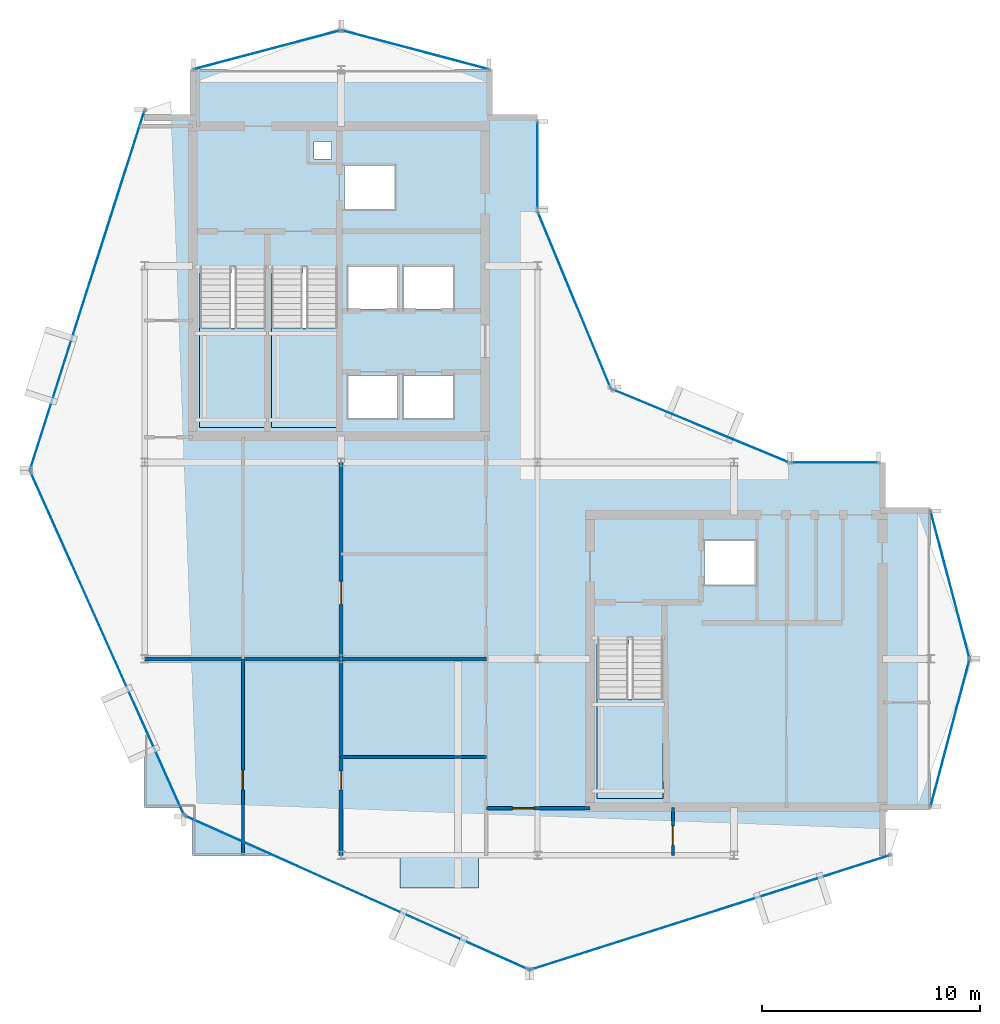
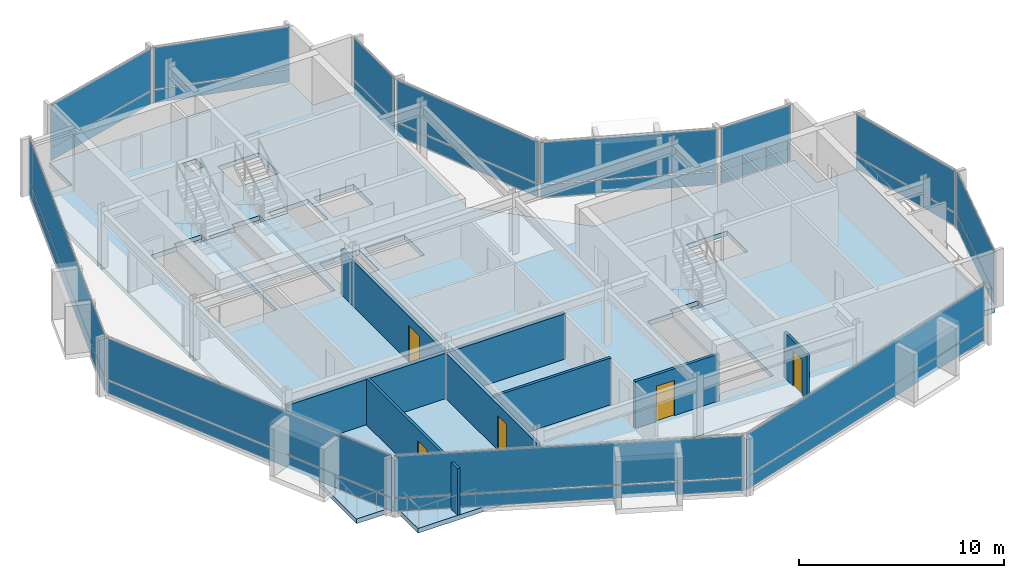
# One storey, part 13 of 19: 24 plates, 6 walls, 5 doors, 5 slabs, 5 openings, 15 elements without a shape of their own.
"""IFC4 building model written with IfcOpenShell, lengths in metres."""

from ifc_helpers import new_model, si_unit, direction, frame, frame_2d, origin, origin_2d, place, context, subcontext, project, spatial, polyline, rectangle, outline, extrude, material, layer, layer_set, type_object, element, fill, aggregate, save


model = new_model("IFC4")

# Units and contexts
model_context = context("Model", 3, precision=1e-05, world=origin(), true_north=direction((0.0, 1.0)))
body_context = subcontext(model_context, "Body", "Model", "MODEL_VIEW")
ifc_project = project(units=[si_unit("LENGTHUNIT", "METRE"), si_unit("AREAUNIT", "SQUARE_METRE"), si_unit("VOLUMEUNIT", "CUBIC_METRE"), si_unit("PLANEANGLEUNIT", "RADIAN"), si_unit("MASSUNIT", "GRAM", prefix="KILO")], contexts=[model_context])

# Site, building, storey
site_placement = place(None, origin())
site = spatial("IfcSite", under=ifc_project, at=site_placement, CompositionType="ELEMENT")
building_placement = place(site_placement, origin())
building = spatial("IfcBuilding", under=site, at=building_placement, Name="Solvaryn Broadcast Tower", CompositionType="ELEMENT")
storey_placement = place(building_placement, frame((0.0, 0.0, 290.0)))
storey = spatial("IfcBuildingStorey", under=building, at=storey_placement, Name="L73", CompositionType="ELEMENT", Elevation=290.0)

# Curtain wall, plates
ifc_material_1 = material(Name="Aluminium and Terracotta Unitised Curtain Wall", Category="masonry")
ifc_layer_1 = layer(ifc_material_1, 0.199951171875)
ifc_layer_set_1 = layer_set([ifc_layer_1], Name="CW-SYS2-LOWMID")
curtain_wall_type_1 = type_object("IfcCurtainWallType", Name="CW-SYS2-LOWMID", PredefinedType="NOTDEFINED", material=ifc_layer_set_1)
curtain_wall_1_placement = place(storey_placement, origin())
curtain_wall_1 = element("IfcCurtainWall", 1, at=curtain_wall_1_placement, inside=storey, type_object=curtain_wall_type_1, Name="L73 Curtain Wall DR1", PredefinedType="NOTDEFINED")
ifc_material_2 = material(Name="Low-Iron Insulated Vision Glass", Category="glass")
ifc_layer_2 = layer(ifc_material_2, 0.035888671875)
ifc_layer_set_2 = layer_set([ifc_layer_2], Name="CW-PNL-VISION")
plate_type = type_object("IfcPlateType", Name="CW-PNL-VISION", PredefinedType="CURTAIN_PANEL", material=ifc_layer_set_2)
plate_1_placement = place(storey_placement, frame((6.368896484375, 34.892578125, 0.06005859375), z_axis=(0.0, 0.0, 1.0), x_axis=(-0.30361564569, -0.952794594701, 0.0)))
plate_1 = element("IfcPlate", 2, at=plate_1_placement, type_object=plate_type, Name="CWS2 panel 1.1", PredefinedType="CURTAIN_PANEL", context=body_context, shape_type="SweptSolid", body=[
    extrude(rectangle(XDim=17.211181640625, YDim=0.028076171875, at=origin_2d()), origin(), (0.0, 0.0, 1.0), 0.760009765625),
])
plate_2_placement = place(storey_placement, frame((6.368896484375, 34.892578125, 0.880126953125), z_axis=(0.0, 0.0, 1.0), x_axis=(-0.30361564569, -0.952794594701, 0.0)))
plate_2 = element("IfcPlate", 3, at=plate_2_placement, type_object=plate_type, Name="CWS2 panel 1.2", PredefinedType="CURTAIN_PANEL", context=body_context, shape_type="SweptSolid", body=[
    extrude(rectangle(XDim=17.211181640625, YDim=0.028076171875, at=origin_2d()), origin(), (0.0, 0.0, 1.0), 2.47998046875),
])
aggregate(curtain_wall_1, [plate_1, plate_2])

ifc_material_3 = material(Name="Aluminium and Terracotta Unitised Curtain Wall", Category="masonry")
ifc_layer_3 = layer(ifc_material_3, 0.239990234375)
ifc_layer_set_3 = layer_set([ifc_layer_3], Name="CW-SYS3-BAYBOX")
curtain_wall_type_2 = type_object("IfcCurtainWallType", Name="CW-SYS3-BAYBOX", PredefinedType="NOTDEFINED", material=ifc_layer_set_3)
curtain_wall_2_placement = place(storey_placement, origin())
curtain_wall_2 = element("IfcCurtainWall", 4, at=curtain_wall_2_placement, inside=storey, type_object=curtain_wall_type_2, Name="L73 Curtain Wall DR2", PredefinedType="NOTDEFINED")
plate_3_placement = place(storey_placement, frame((7.277587890625, 18.7265625, 0.06005859375), z_axis=(0.0, 0.0, 1.0), x_axis=(0.408466010682, -0.912773530574, 0.0)))
plate_3 = element("IfcPlate", 5, at=plate_3_placement, type_object=plate_type, Name="CWS3 panel 1.1", PredefinedType="CURTAIN_PANEL", context=body_context, shape_type="SweptSolid", body=[
    extrude(rectangle(XDim=17.210693359375, YDim=0.028076171875, at=origin_2d()), origin(), (0.0, 0.0, 1.0), 0.760009765625),
])
plate_4_placement = place(storey_placement, frame((7.277587890625, 18.7265625, 0.880126953125), z_axis=(0.0, 0.0, 1.0), x_axis=(0.408466010682, -0.912773530574, 0.0)))
plate_4 = element("IfcPlate", 6, at=plate_4_placement, type_object=plate_type, Name="CWS3 panel 1.2", PredefinedType="CURTAIN_PANEL", context=body_context, shape_type="SweptSolid", body=[
    extrude(rectangle(XDim=17.210693359375, YDim=0.028076171875, at=origin_2d()), origin(), (0.0, 0.0, 1.0), 2.47998046875),
])
aggregate(curtain_wall_2, [plate_3, plate_4])

curtain_wall_3_placement = place(storey_placement, origin())
curtain_wall_3 = element("IfcCurtainWall", 7, at=curtain_wall_3_placement, inside=storey, type_object=curtain_wall_type_1, Name="L73 Curtain Wall DR3", PredefinedType="NOTDEFINED")
plate_5_placement = place(storey_placement, frame((18.7265625, 7.277587890625, 0.06005859375), z_axis=(0.0, 0.0, 1.0), x_axis=(0.912773530574, -0.408466010682, 0.0)))
plate_5 = element("IfcPlate", 8, at=plate_5_placement, type_object=plate_type, Name="CWS2 panel 1.1", PredefinedType="CURTAIN_PANEL", context=body_context, shape_type="SweptSolid", body=[
    extrude(rectangle(XDim=17.210693359375, YDim=0.028076171875, at=origin_2d()), origin(), (0.0, 0.0, 1.0), 0.760009765625),
])
plate_6_placement = place(storey_placement, frame((18.7265625, 7.277587890625, 0.880126953125), z_axis=(0.0, 0.0, 1.0), x_axis=(0.912773530574, -0.408466010682, 0.0)))
plate_6 = element("IfcPlate", 9, at=plate_6_placement, type_object=plate_type, Name="CWS2 panel 1.2", PredefinedType="CURTAIN_PANEL", context=body_context, shape_type="SweptSolid", body=[
    extrude(rectangle(XDim=17.210693359375, YDim=0.028076171875, at=origin_2d()), origin(), (0.0, 0.0, 1.0), 2.47998046875),
])
aggregate(curtain_wall_3, [plate_5, plate_6])

curtain_wall_4_placement = place(storey_placement, origin())
curtain_wall_4 = element("IfcCurtainWall", 10, at=curtain_wall_4_placement, inside=storey, type_object=curtain_wall_type_1, Name="L73 Curtain Wall DR4", PredefinedType="NOTDEFINED")
plate_7_placement = place(storey_placement, frame((34.892578125, 6.368896484375, 0.06005859375), z_axis=(0.0, 0.0, 1.0), x_axis=(0.952794594701, 0.30361564569, 0.0)))
plate_7 = element("IfcPlate", 11, at=plate_7_placement, type_object=plate_type, Name="CWS2 panel 1.1", PredefinedType="CURTAIN_PANEL", context=body_context, shape_type="SweptSolid", body=[
    extrude(rectangle(XDim=17.211181640625, YDim=0.028076171875, at=origin_2d()), origin(), (0.0, 0.0, 1.0), 0.760009765625),
])
plate_8_placement = place(storey_placement, frame((34.892578125, 6.368896484375, 0.880126953125), z_axis=(0.0, 0.0, 1.0), x_axis=(0.952794594701, 0.30361564569, 0.0)))
plate_8 = element("IfcPlate", 12, at=plate_8_placement, type_object=plate_type, Name="CWS2 panel 1.2", PredefinedType="CURTAIN_PANEL", context=body_context, shape_type="SweptSolid", body=[
    extrude(rectangle(XDim=17.211181640625, YDim=0.028076171875, at=origin_2d()), origin(), (0.0, 0.0, 1.0), 2.47998046875),
])
aggregate(curtain_wall_4, [plate_7, plate_8])

curtain_wall_5_placement = place(storey_placement, origin())
curtain_wall_5 = element("IfcCurtainWall", 13, at=curtain_wall_5_placement, inside=storey, type_object=curtain_wall_type_1, Name="L73 Curtain Wall IV", PredefinedType="NOTDEFINED")
plate_9_placement = place(storey_placement, frame((27.0, 40.625, 0.06005859375), z_axis=(0.0, 0.0, 1.0), x_axis=(0.0, -1.0, 0.0)))
plate_9 = element("IfcPlate", 14, at=plate_9_placement, type_object=plate_type, Name="CWS2 panel 1.1", PredefinedType="CURTAIN_PANEL", context=body_context, shape_type="SweptSolid", body=[
    extrude(rectangle(XDim=3.929931640625, YDim=0.028076171875, at=origin_2d()), origin(), (0.0, 0.0, 1.0), 0.760009765625),
])
plate_10_placement = place(storey_placement, frame((27.0, 40.625, 0.880126953125), z_axis=(0.0, 0.0, 1.0), x_axis=(0.0, -1.0, 0.0)))
plate_10 = element("IfcPlate", 15, at=plate_10_placement, type_object=plate_type, Name="CWS2 panel 1.2", PredefinedType="CURTAIN_PANEL", context=body_context, shape_type="SweptSolid", body=[
    extrude(rectangle(XDim=3.929931640625, YDim=0.028076171875, at=origin_2d()), origin(), (0.0, 0.0, 1.0), 2.47998046875),
])
aggregate(curtain_wall_5, [plate_9, plate_10])

curtain_wall_6_placement = place(storey_placement, origin())
curtain_wall_6 = element("IfcCurtainWall", 16, at=curtain_wall_6_placement, inside=storey, type_object=curtain_wall_type_1, Name="L73 Curtain Wall CN1", PredefinedType="NOTDEFINED")
plate_11_placement = place(storey_placement, frame((34.43408203125, 28.68408203125, 0.06005859375), z_axis=(0.0, 0.0, 1.0), x_axis=(-0.923894983957, 0.382646127145, 0.0)))
plate_11 = element("IfcPlate", 17, at=plate_11_placement, type_object=plate_type, Name="CWS2 panel 1.1", PredefinedType="CURTAIN_PANEL", context=body_context, shape_type="SweptSolid", body=[
    extrude(rectangle(XDim=8.681884765625, YDim=0.028076171875, at=origin_2d()), origin(), (0.0, 0.0, 1.0), 0.760009765625),
])
plate_12_placement = place(storey_placement, frame((34.43408203125, 28.68408203125, 0.880126953125), z_axis=(0.0, 0.0, 1.0), x_axis=(-0.923894983957, 0.382646127145, 0.0)))
plate_12 = element("IfcPlate", 18, at=plate_12_placement, type_object=plate_type, Name="CWS2 panel 1.2", PredefinedType="CURTAIN_PANEL", context=body_context, shape_type="SweptSolid", body=[
    extrude(rectangle(XDim=8.681884765625, YDim=0.028076171875, at=origin_2d()), origin(), (0.0, 0.0, 1.0), 2.47998046875),
])
aggregate(curtain_wall_6, [plate_11, plate_12])

curtain_wall_7_placement = place(storey_placement, origin())
curtain_wall_7 = element("IfcCurtainWall", 19, at=curtain_wall_7_placement, inside=storey, type_object=curtain_wall_type_1, Name="L73 Curtain Wall CN2", PredefinedType="NOTDEFINED")
plate_13_placement = place(storey_placement, frame((28.68408203125, 34.43408203125, 0.06005859375), z_axis=(0.0, 0.0, 1.0), x_axis=(-0.382646127145, 0.923894983957, 0.0)))
plate_13 = element("IfcPlate", 20, at=plate_13_placement, type_object=plate_type, Name="CWS2 panel 1.1", PredefinedType="CURTAIN_PANEL", context=body_context, shape_type="SweptSolid", body=[
    extrude(rectangle(XDim=8.681884765625, YDim=0.028076171875, at=origin_2d()), origin(), (0.0, 0.0, 1.0), 0.760009765625),
])
plate_14_placement = place(storey_placement, frame((28.68408203125, 34.43408203125, 0.880126953125), z_axis=(0.0, 0.0, 1.0), x_axis=(-0.382646127145, 0.923894983957, 0.0)))
plate_14 = element("IfcPlate", 21, at=plate_14_placement, type_object=plate_type, Name="CWS2 panel 1.2", PredefinedType="CURTAIN_PANEL", context=body_context, shape_type="SweptSolid", body=[
    extrude(rectangle(XDim=8.681884765625, YDim=0.028076171875, at=origin_2d()), origin(), (0.0, 0.0, 1.0), 2.47998046875),
])
aggregate(curtain_wall_7, [plate_13, plate_14])

curtain_wall_8_placement = place(storey_placement, origin())
curtain_wall_8 = element("IfcCurtainWall", 22, at=curtain_wall_8_placement, inside=storey, type_object=curtain_wall_type_1, Name="L73 Curtain Wall NT1", PredefinedType="NOTDEFINED")
plate_15_placement = place(storey_placement, frame((21.39990234375, 45.89990234375, 0.06005859375), z_axis=(0.0, 0.0, 1.0), x_axis=(-0.966705227863, 0.25589256031, 0.0)))
plate_15 = element("IfcPlate", 23, at=plate_15_placement, type_object=plate_type, Name="CWS2 panel 1.1", PredefinedType="CURTAIN_PANEL", context=body_context, shape_type="SweptSolid", body=[
    extrude(rectangle(XDim=6.914306640625, YDim=0.028076171875, at=origin_2d()), origin(), (0.0, 0.0, 1.0), 0.760009765625),
])
plate_16_placement = place(storey_placement, frame((21.39990234375, 45.89990234375, 0.880126953125), z_axis=(0.0, 0.0, 1.0), x_axis=(-0.966705227863, 0.25589256031, 0.0)))
plate_16 = element("IfcPlate", 24, at=plate_16_placement, type_object=plate_type, Name="CWS2 panel 1.2", PredefinedType="CURTAIN_PANEL", context=body_context, shape_type="SweptSolid", body=[
    extrude(rectangle(XDim=6.914306640625, YDim=0.028076171875, at=origin_2d()), origin(), (0.0, 0.0, 1.0), 2.47998046875),
])
aggregate(curtain_wall_8, [plate_15, plate_16])

curtain_wall_9_placement = place(storey_placement, origin())
curtain_wall_9 = element("IfcCurtainWall", 25, at=curtain_wall_9_placement, inside=storey, type_object=curtain_wall_type_1, Name="L73 Curtain Wall NT2", PredefinedType="NOTDEFINED")
plate_17_placement = place(storey_placement, frame((14.60009765625, 45.89990234375, 0.06005859375), z_axis=(0.0, 0.0, 1.0), x_axis=(-0.966705227863, -0.25589256031, 0.0)))
plate_17 = element("IfcPlate", 26, at=plate_17_placement, type_object=plate_type, Name="CWS2 panel 1.1", PredefinedType="CURTAIN_PANEL", context=body_context, shape_type="SweptSolid", body=[
    extrude(rectangle(XDim=6.914306640625, YDim=0.028076171875, at=origin_2d()), origin(), (0.0, 0.0, 1.0), 0.760009765625),
])
plate_18_placement = place(storey_placement, frame((14.60009765625, 45.89990234375, 0.880126953125), z_axis=(0.0, 0.0, 1.0), x_axis=(-0.966705227863, -0.25589256031, 0.0)))
plate_18 = element("IfcPlate", 27, at=plate_18_placement, type_object=plate_type, Name="CWS2 panel 1.2", PredefinedType="CURTAIN_PANEL", context=body_context, shape_type="SweptSolid", body=[
    extrude(rectangle(XDim=6.914306640625, YDim=0.028076171875, at=origin_2d()), origin(), (0.0, 0.0, 1.0), 2.47998046875),
])
aggregate(curtain_wall_9, [plate_17, plate_18])

curtain_wall_10_placement = place(storey_placement, origin())
curtain_wall_10 = element("IfcCurtainWall", 28, at=curtain_wall_10_placement, inside=storey, type_object=curtain_wall_type_1, Name="L73 Curtain Wall ET1", PredefinedType="NOTDEFINED")
plate_19_placement = place(storey_placement, frame((45.89990234375, 21.39990234375, 0.06005859375), z_axis=(0.0, 0.0, 1.0), x_axis=(0.25589256031, -0.966705227863, 0.0)))
plate_19 = element("IfcPlate", 29, at=plate_19_placement, type_object=plate_type, Name="CWS2 panel 1.1", PredefinedType="CURTAIN_PANEL", context=body_context, shape_type="SweptSolid", body=[
    extrude(rectangle(XDim=6.914306640625, YDim=0.028076171875, at=origin_2d()), origin(), (0.0, 0.0, 1.0), 0.760009765625),
])
plate_20_placement = place(storey_placement, frame((45.89990234375, 21.39990234375, 0.880126953125), z_axis=(0.0, 0.0, 1.0), x_axis=(0.25589256031, -0.966705227863, 0.0)))
plate_20 = element("IfcPlate", 30, at=plate_20_placement, type_object=plate_type, Name="CWS2 panel 1.2", PredefinedType="CURTAIN_PANEL", context=body_context, shape_type="SweptSolid", body=[
    extrude(rectangle(XDim=6.914306640625, YDim=0.028076171875, at=origin_2d()), origin(), (0.0, 0.0, 1.0), 2.47998046875),
])
aggregate(curtain_wall_10, [plate_19, plate_20])

curtain_wall_11_placement = place(storey_placement, origin())
curtain_wall_11 = element("IfcCurtainWall", 31, at=curtain_wall_11_placement, inside=storey, type_object=curtain_wall_type_1, Name="L73 Curtain Wall ET2", PredefinedType="NOTDEFINED")
plate_21_placement = place(storey_placement, frame((45.89990234375, 14.60009765625, 0.06005859375), z_axis=(0.0, 0.0, 1.0), x_axis=(-0.25589256031, -0.966705227863, 0.0)))
plate_21 = element("IfcPlate", 32, at=plate_21_placement, type_object=plate_type, Name="CWS2 panel 1.1", PredefinedType="CURTAIN_PANEL", context=body_context, shape_type="SweptSolid", body=[
    extrude(rectangle(XDim=6.914306640625, YDim=0.028076171875, at=origin_2d()), origin(), (0.0, 0.0, 1.0), 0.760009765625),
])
plate_22_placement = place(storey_placement, frame((45.89990234375, 14.60009765625, 0.880126953125), z_axis=(0.0, 0.0, 1.0), x_axis=(-0.25589256031, -0.966705227863, 0.0)))
plate_22 = element("IfcPlate", 33, at=plate_22_placement, type_object=plate_type, Name="CWS2 panel 1.2", PredefinedType="CURTAIN_PANEL", context=body_context, shape_type="SweptSolid", body=[
    extrude(rectangle(XDim=6.914306640625, YDim=0.028076171875, at=origin_2d()), origin(), (0.0, 0.0, 1.0), 2.47998046875),
])
aggregate(curtain_wall_11, [plate_21, plate_22])

curtain_wall_12_placement = place(storey_placement, origin())
curtain_wall_12 = element("IfcCurtainWall", 34, at=curtain_wall_12_placement, inside=storey, type_object=curtain_wall_type_1, Name="L73 Curtain Wall IH", PredefinedType="NOTDEFINED")
plate_23_placement = place(storey_placement, frame((40.625, 27.0, 0.06005859375), z_axis=(0.0, 0.0, 1.0), x_axis=(1.0, 0.0, 0.0)))
plate_23 = element("IfcPlate", 35, at=plate_23_placement, type_object=plate_type, Name="CWS2 panel 1.1", PredefinedType="CURTAIN_PANEL", context=body_context, shape_type="SweptSolid", body=[
    extrude(rectangle(XDim=3.929931640625, YDim=0.028076171875, at=origin_2d()), origin(), (0.0, 0.0, 1.0), 0.760009765625),
])
plate_24_placement = place(storey_placement, frame((40.625, 27.0, 0.880126953125), z_axis=(0.0, 0.0, 1.0), x_axis=(1.0, 0.0, 0.0)))
plate_24 = element("IfcPlate", 36, at=plate_24_placement, type_object=plate_type, Name="CWS2 panel 1.2", PredefinedType="CURTAIN_PANEL", context=body_context, shape_type="SweptSolid", body=[
    extrude(rectangle(XDim=3.929931640625, YDim=0.028076171875, at=origin_2d()), origin(), (0.0, 0.0, 1.0), 2.47998046875),
])
aggregate(curtain_wall_12, [plate_23, plate_24])

# Slab
ifc_material_4 = material(Name="Concrete f'c 60 MPa", Category="concrete")
ifc_layer_4 = layer(ifc_material_4, 0.2099609375)
ifc_layer_set_4 = layer_set([ifc_layer_4], Name="SL-BAYBOX-210")
slab_type_1 = type_object("IfcSlabType", Name="SL-BAYBOX-210", PredefinedType="FLOOR", material=ifc_layer_set_4)
slab_1_placement = place(storey_placement, frame((0.0, 0.0, -0.2099609375)))
element("IfcSlab", 37, at=slab_1_placement, inside=storey, type_object=slab_type_1, Name="L73 Projecting Bay-Box Slab 1", PredefinedType="FLOOR", context=body_context, shape_type="SweptSolid", body=[
    extrude(outline(polyline([(20.699951171875, 7.5), (24.300048828125, 7.5), (24.300048828125, 9.0), (20.699951171875, 9.0), (20.699951171875, 7.5)])), origin(), (0.0, 0.0, 1.0), 0.2099609375),
])

# Stair, slab
ifc_material_5 = material(Name="Concrete f'c 60 MPa", Category="concrete")
stair_type = type_object("IfcStairType", Name="ST-CORE", PredefinedType="HALF_TURN_STAIR", material=ifc_material_5)
stair_1_placement = place(storey_placement, origin())
stair_1 = element("IfcStair", 38, at=stair_1_placement, inside=storey, type_object=stair_type, Name="L73 ST1", PredefinedType="HALF_TURN_STAIR")
ifc_material_6 = material(Name="Concrete f'c 60 MPa", Category="concrete")
ifc_layer_5 = layer(ifc_material_6, 0.199951171875)
ifc_layer_set_5 = layer_set([ifc_layer_5], Name="SL-LANDING-200")
slab_type_2 = type_object("IfcSlabType", Name="SL-LANDING-200", PredefinedType="LANDING", material=ifc_layer_set_5)
slab_2_placement = place(storey_placement, frame((0.0, 0.0, 1.64990234375)))
slab_2 = element("IfcSlab", 39, at=slab_2_placement, type_object=slab_type_2, Name="ST1 landing 1", PredefinedType="LANDING", context=body_context, shape_type="SweptSolid", body=[
    extrude(outline(polyline([(11.52001953125, 33.159912109375), (11.52001953125, 28.60009765625), (14.550048828125, 28.60009765625), (14.550048828125, 33.159912109375), (11.52001953125, 33.159912109375)])), origin(), (0.0, 0.0, 1.0), 0.2001953125),
])
aggregate(stair_1, [slab_2])

stair_2_placement = place(storey_placement, origin())
stair_2 = element("IfcStair", 40, at=stair_2_placement, inside=storey, type_object=stair_type, Name="L73 ST2", PredefinedType="HALF_TURN_STAIR")
slab_3_placement = place(storey_placement, frame((0.0, 0.0, 1.64990234375)))
slab_3 = element("IfcSlab", 41, at=slab_3_placement, type_object=slab_type_2, Name="ST2 landing 1", PredefinedType="LANDING", context=body_context, shape_type="SweptSolid", body=[
    extrude(outline(polyline([(14.800048828125, 33.159912109375), (14.800048828125, 28.60009765625), (17.830078125, 28.60009765625), (17.830078125, 33.159912109375), (14.800048828125, 33.159912109375)])), origin(), (0.0, 0.0, 1.0), 0.2001953125),
])
aggregate(stair_2, [slab_3])

stair_3_placement = place(storey_placement, origin())
stair_3 = element("IfcStair", 42, at=stair_3_placement, inside=storey, type_object=stair_type, Name="L73 ST3", PredefinedType="HALF_TURN_STAIR")
slab_4_placement = place(storey_placement, frame((0.0, 0.0, 1.64990234375)))
slab_4 = element("IfcSlab", 43, at=slab_4_placement, type_object=slab_type_2, Name="ST3 landing 1", PredefinedType="LANDING", context=body_context, shape_type="SweptSolid", body=[
    extrude(outline(polyline([(29.719970703125, 16.159912109375), (29.719970703125, 11.60009765625), (32.75, 11.60009765625), (32.75, 16.159912109375), (29.719970703125, 16.159912109375)])), origin(), (0.0, 0.0, 1.0), 0.2001953125),
])
aggregate(stair_3, [slab_4])

# Slab
ifc_material_7 = material(Name="Concrete f'c 60 MPa", Category="concrete")
ifc_layer_6 = layer(ifc_material_7, 0.280029296875)
ifc_layer_set_6 = layer_set([ifc_layer_6], Name="SL-TWR-280")
slab_type_3 = type_object("IfcSlabType", Name="SL-TWR-280", PredefinedType="FLOOR", material=ifc_layer_set_6)
slab_5_placement = place(storey_placement, frame((0.0, 0.0, -0.280029296875)))
element("IfcSlab", 44, at=slab_5_placement, inside=storey, type_object=slab_type_3, Name="L73 Structural Floor Slab", PredefinedType="FLOOR", context=body_context, shape_type="SweptSolid", body=[
    extrude(outline(polyline([(11.199951171875, 9.0), (42.800048828125, 9.0), (42.800048828125, 11.199951171875), (45.0, 11.199951171875), (45.0, 24.800048828125), (42.800048828125, 24.800048828125), (42.800048828125, 27.0), (31.5, 27.0), (27.0, 31.5), (27.0, 42.800048828125), (24.800048828125, 42.800048828125), (24.800048828125, 45.0), (11.199951171875, 45.0), (11.199951171875, 42.800048828125), (9.0, 42.800048828125), (9.0, 11.199951171875), (11.199951171875, 11.199951171875), (11.199951171875, 9.0)]), holes=[polyline([(11.52001953125, 28.60009765625), (14.550048828125, 28.60009765625), (14.550048828125, 35.9599609375), (12.97998046875, 35.9599609375), (12.97998046875, 35.679931640625), (11.52001953125, 35.679931640625), (11.52001953125, 28.60009765625)]), polyline([(14.800048828125, 28.60009765625), (17.830078125, 28.60009765625), (17.830078125, 35.9599609375), (16.260009765625, 35.9599609375), (16.260009765625, 35.679931640625), (14.800048828125, 35.679931640625), (14.800048828125, 28.60009765625)]), polyline([(29.719970703125, 11.60009765625), (32.75, 11.60009765625), (32.75, 18.9599609375), (31.179931640625, 18.9599609375), (31.179931640625, 18.679931640625), (29.719970703125, 18.679931640625), (29.719970703125, 11.60009765625)]), polyline([(18.14990234375, 38.60009765625), (20.449951171875, 38.60009765625), (20.449951171875, 40.60009765625), (18.14990234375, 40.60009765625), (18.14990234375, 38.60009765625)]), polyline([(18.324951171875, 29.02490234375), (20.574951171875, 29.02490234375), (20.574951171875, 30.97509765625), (18.324951171875, 30.97509765625), (18.324951171875, 29.02490234375)]), polyline([(20.875, 29.02490234375), (23.125, 29.02490234375), (23.125, 30.97509765625), (20.875, 30.97509765625), (20.875, 29.02490234375)]), polyline([(18.324951171875, 34.02490234375), (20.574951171875, 34.02490234375), (20.574951171875, 35.97509765625), (18.324951171875, 35.97509765625), (18.324951171875, 34.02490234375)]), polyline([(20.875, 34.02490234375), (23.125, 34.02490234375), (23.125, 35.97509765625), (20.875, 35.97509765625), (20.875, 34.02490234375)]), polyline([(34.64990234375, 21.39990234375), (36.949951171875, 21.39990234375), (36.949951171875, 23.39990234375), (34.64990234375, 23.39990234375), (34.64990234375, 21.39990234375)]), polyline([(16.75, 40.89990234375), (17.550048828125, 40.89990234375), (17.550048828125, 41.699951171875), (16.75, 41.699951171875), (16.75, 40.89990234375)])]), origin(), (0.0, 0.0, 1.0), 0.280029296875),
])

# Wall, opening, door
ifc_material_8 = material(Name="Metal-Stud Service Core Partition")
ifc_layer_7 = layer(ifc_material_8, 0.14990234375)
ifc_layer_set_7 = layer_set([ifc_layer_7], Name="IW-PART-150")
wall_type_1 = type_object("IfcWallType", Name="IW-PART-150", PredefinedType="PARTITIONING", material=ifc_layer_set_7)
wall_1_placement = place(storey_placement, frame((13.5, 9.0, 0.0), z_axis=(0.0, 0.0, 1.0), x_axis=(0.0, 1.0, 0.0)))
wall_1 = element("IfcWall", 45, at=wall_1_placement, inside=storey, type_object=wall_type_1, Name="L73 Interior Partition IW-L73-SW-C2", PredefinedType="PARTITIONING", context=body_context, shape_type="SweptSolid", body=[
    extrude(rectangle(XDim=9.0, YDim=0.14990234375, at=frame_2d((4.5, 0.0))), origin(), (0.0, 0.0, 1.0), 2.7890625),
])
opening_1_placement = place(wall_1_placement, frame((3.0, 0.0, 0.0)))
opening_1 = element("IfcOpeningElement", 46, at=opening_1_placement, cuts=wall_1, Name="Opening FD60C", PredefinedType="OPENING", context=body_context, shape_type="SweptSolid", body=[
    extrude(rectangle(XDim=0.89990234375, YDim=2.10009765625, at=frame_2d((0.449951171875, 1.050048828125))), frame((0.0, 0.0849609375, 0.0), z_axis=(0.0, -1.0, 0.0), x_axis=(1.0, 0.0, 0.0)), (0.0, 0.0, 1.0), 0.169921875),
])
ifc_material_9 = material(Name="Flush Acoustic Steel and Timber Door Assembly", Category="steel")
door_type_1 = type_object("IfcDoorType", Name="FD60-SERV-900X2100", OperationType="NOTDEFINED", PredefinedType="DOOR", material=ifc_material_9)
door_1_placement = place(opening_1_placement, origin())
door_1 = element("IfcDoor", 47, at=door_1_placement, inside=storey, type_object=door_type_1, Name="L73 Door DR-L73-SWQ-8", OperationType="SINGLE_SWING_LEFT", OverallHeight=2.10009765625, OverallWidth=0.89990234375, PredefinedType="DOOR", context=body_context, shape_type="SweptSolid", body=[
    extrude(rectangle(XDim=0.89990234375, YDim=2.10009765625, at=frame_2d((0.449951171875, 1.050048828125))), frame((0.0, 0.02490234375, 0.0), z_axis=(0.0, -1.0, 0.0), x_axis=(1.0, 0.0, 0.0)), (0.0, 0.0, 1.0), 0.050048828125),
])
fill(opening_1, door_1)

# Wall
wall_2_placement = place(storey_placement, frame((18.0, 13.5, 0.0), z_axis=(0.0, 0.0, 1.0), x_axis=(1.0, 0.0, 0.0)))
element("IfcWall", 48, at=wall_2_placement, inside=storey, type_object=wall_type_1, Name="L73 Interior Partition IW-L73-SW-C4", PredefinedType="PARTITIONING", context=body_context, shape_type="SweptSolid", body=[
    extrude(rectangle(XDim=6.64990234375, YDim=0.14990234375, at=frame_2d((3.324951171875, 0.0))), origin(), (0.0, 0.0, 1.0), 2.7919921875),
])

# Wall, opening, door
wall_3_placement = place(storey_placement, frame((33.199951171875, 9.0, 0.0), z_axis=(0.0, 0.0, 1.0), x_axis=(0.0, 1.0, 0.0)))
wall_3 = element("IfcWall", 49, at=wall_3_placement, inside=storey, type_object=wall_type_1, Name="L73 Interior Partition IW-L73-SC-V", PredefinedType="PARTITIONING", context=body_context, shape_type="SweptSolid", body=[
    extrude(rectangle(XDim=2.199951171875, YDim=0.14990234375, at=frame_2d((1.10009765625, 0.0))), origin(), (0.0, 0.0, 1.0), 2.70703125),
])
opening_2_placement = place(wall_3_placement, frame((0.449951171875, 0.0, 0.0)))
opening_2 = element("IfcOpeningElement", 50, at=opening_2_placement, cuts=wall_3, Name="Opening FD60C", PredefinedType="OPENING", context=body_context, shape_type="SweptSolid", body=[
    extrude(rectangle(XDim=0.89990234375, YDim=2.10009765625, at=frame_2d((0.449951171875, 1.050048828125))), frame((0.0, 0.0849609375, 0.0), z_axis=(0.0, -1.0, 0.0), x_axis=(1.0, 0.0, 0.0)), (0.0, 0.0, 1.0), 0.169921875),
])
door_2_placement = place(opening_2_placement, origin())
door_2 = element("IfcDoor", 51, at=door_2_placement, inside=storey, type_object=door_type_1, Name="L73 Door DR-L73-SC1", OperationType="SINGLE_SWING_LEFT", OverallHeight=2.10009765625, OverallWidth=0.89990234375, PredefinedType="DOOR", context=body_context, shape_type="SweptSolid", body=[
    extrude(rectangle(XDim=0.89990234375, YDim=2.10009765625, at=frame_2d((0.449951171875, 1.050048828125))), frame((0.0, 0.02490234375, 0.0), z_axis=(0.0, -1.0, 0.0), x_axis=(1.0, 0.0, 0.0)), (0.0, 0.0, 1.0), 0.050048828125),
])
fill(opening_2, door_2)

ifc_material_10 = material(Name="Metal-Stud Gypsum Office Partition")
ifc_layer_8 = layer(ifc_material_10, 0.159912109375)
ifc_layer_set_8 = layer_set([ifc_layer_8], Name="IW-PART-160")
wall_type_2 = type_object("IfcWallType", Name="IW-PART-160", PredefinedType="PARTITIONING", material=ifc_layer_set_8)
wall_4_placement = place(storey_placement, frame((24.64990234375, 11.14990234375, 0.0), z_axis=(0.0, 0.0, 1.0), x_axis=(1.0, 0.0, 0.0)))
wall_4 = element("IfcWall", 52, at=wall_4_placement, inside=storey, type_object=wall_type_2, Name="L73 Interior Partition IW-L73-SC-N", PredefinedType="PARTITIONING", context=body_context, shape_type="SweptSolid", body=[
    extrude(rectangle(XDim=4.75, YDim=0.159912109375, at=frame_2d((2.375, 0.0))), origin(), (0.0, 0.0, 1.0), 2.7919921875),
])
opening_3_placement = place(wall_4_placement, frame((1.199951171875, 0.0, 0.0)))
opening_3 = element("IfcOpeningElement", 53, at=opening_3_placement, cuts=wall_4, Name="Opening ID02", PredefinedType="OPENING", context=body_context, shape_type="SweptSolid", body=[
    extrude(rectangle(XDim=1.0, YDim=2.10009765625, at=frame_2d((0.5, 1.050048828125))), frame((0.0, 0.090087890625, 0.0), z_axis=(0.0, -1.0, 0.0), x_axis=(1.0, 0.0, 0.0)), (0.0, 0.0, 1.0), 0.179931640625),
])
ifc_material_11 = material(Name="Flush Acoustic Steel and Timber Door Assembly", Category="steel")
door_type_2 = type_object("IfcDoorType", Name="ID-02-1000X2100", OperationType="NOTDEFINED", PredefinedType="DOOR", material=ifc_material_11)
door_3_placement = place(opening_3_placement, origin())
door_3 = element("IfcDoor", 54, at=door_3_placement, inside=storey, type_object=door_type_2, Name="L73 Door DR-L73-SC0", OperationType="SINGLE_SWING_RIGHT", OverallHeight=2.10009765625, OverallWidth=1.0, PredefinedType="DOOR", context=body_context, shape_type="SweptSolid", body=[
    extrude(rectangle(XDim=1.0, YDim=2.10009765625, at=frame_2d((0.5, 1.050048828125))), frame((0.0, 0.02490234375, 0.0), z_axis=(0.0, -1.0, 0.0), x_axis=(1.0, 0.0, 0.0)), (0.0, 0.0, 1.0), 0.050048828125),
])
fill(opening_3, door_3)

# Wall
ifc_material_12 = material(Name="Acoustic Metal-Stud Gypsum Partition")
ifc_layer_9 = layer(ifc_material_12, 0.179931640625)
ifc_layer_set_9 = layer_set([ifc_layer_9], Name="IW-PART-180")
wall_type_3 = type_object("IfcWallType", Name="IW-PART-180", PredefinedType="PARTITIONING", material=ifc_layer_set_9)
wall_5_placement = place(storey_placement, frame((9.0, 18.0, 0.0), z_axis=(0.0, 0.0, 1.0), x_axis=(1.0, 0.0, 0.0)))
element("IfcWall", 55, at=wall_5_placement, inside=storey, type_object=wall_type_3, Name="L73 Interior Partition IW-L73-SW-CH", PredefinedType="PARTITIONING", context=body_context, shape_type="SweptSolid", body=[
    extrude(rectangle(XDim=15.64990234375, YDim=0.179931640625, at=frame_2d((7.824951171875, 0.0))), origin(), (0.0, 0.0, 1.0), 2.70703125),
])

# Wall, openings, doors
wall_6_placement = place(storey_placement, frame((18.0, 9.0, 0.0), z_axis=(0.0, 0.0, 1.0), x_axis=(0.0, 1.0, 0.0)))
wall_6 = element("IfcWall", 56, at=wall_6_placement, inside=storey, type_object=wall_type_3, Name="L73 Interior Partition IW-L73-SW-CV", PredefinedType="PARTITIONING", context=body_context, shape_type="SweptSolid", body=[
    extrude(rectangle(XDim=19.1298828125, YDim=0.179931640625, at=frame_2d((9.56494140625, 0.0))), origin(), (0.0, 0.0, 1.0), 2.70703125),
])
opening_4_placement = place(wall_6_placement, frame((11.5, 0.0, 0.0)))
opening_4 = element("IfcOpeningElement", 57, at=opening_4_placement, cuts=wall_6, Name="Opening ID03", PredefinedType="OPENING", context=body_context, shape_type="SweptSolid", body=[
    extrude(rectangle(XDim=1.050048828125, YDim=2.14990234375, at=frame_2d((0.52490234375, 1.074951171875))), frame((0.0, 0.099853515625, 0.0), z_axis=(0.0, -1.0, 0.0), x_axis=(1.0, 0.0, 0.0)), (0.0, 0.0, 1.0), 0.199951171875),
])
opening_5_placement = place(wall_6_placement, frame((3.0, 0.0, 0.0)))
opening_5 = element("IfcOpeningElement", 58, at=opening_5_placement, cuts=wall_6, Name="Opening ID07", PredefinedType="OPENING", context=body_context, shape_type="SweptSolid", body=[
    extrude(rectangle(XDim=0.860107421875, YDim=2.050048828125, at=frame_2d((0.43017578125, 1.02490234375))), frame((0.0, 0.099853515625, 0.0), z_axis=(0.0, -1.0, 0.0), x_axis=(1.0, 0.0, 0.0)), (0.0, 0.0, 1.0), 0.199951171875),
])
ifc_material_13 = material(Name="Flush Acoustic Steel and Timber Door Assembly", Category="steel")
door_type_3 = type_object("IfcDoorType", Name="ID-03-1050X2150", OperationType="NOTDEFINED", PredefinedType="DOOR", material=ifc_material_13)
door_4_placement = place(opening_4_placement, origin())
door_4 = element("IfcDoor", 59, at=door_4_placement, inside=storey, type_object=door_type_3, Name="L73 Door DR-L73-SWQ-5", OperationType="SINGLE_SWING_RIGHT", OverallHeight=2.14990234375, OverallWidth=1.050048828125, PredefinedType="DOOR", context=body_context, shape_type="SweptSolid", body=[
    extrude(rectangle(XDim=1.050048828125, YDim=2.14990234375, at=frame_2d((0.52490234375, 1.074951171875))), frame((0.0, 0.02490234375, 0.0), z_axis=(0.0, -1.0, 0.0), x_axis=(1.0, 0.0, 0.0)), (0.0, 0.0, 1.0), 0.050048828125),
])
fill(opening_4, door_4)
ifc_material_14 = material(Name="Flush Acoustic Steel and Timber Door Assembly", Category="steel")
door_type_4 = type_object("IfcDoorType", Name="ID-07-860X2050", OperationType="NOTDEFINED", PredefinedType="DOOR", material=ifc_material_14)
door_5_placement = place(opening_5_placement, origin())
door_5 = element("IfcDoor", 60, at=door_5_placement, inside=storey, type_object=door_type_4, Name="L73 Door DR-L73-SWQ-7", OperationType="SINGLE_SWING_RIGHT", OverallHeight=2.050048828125, OverallWidth=0.860107421875, PredefinedType="DOOR", context=body_context, shape_type="SweptSolid", body=[
    extrude(rectangle(XDim=0.860107421875, YDim=2.050048828125, at=frame_2d((0.43017578125, 1.02490234375))), frame((0.0, 0.02490234375, 0.0), z_axis=(0.0, -1.0, 0.0), x_axis=(1.0, 0.0, 0.0)), (0.0, 0.0, 1.0), 0.050048828125),
])
fill(opening_5, door_5)

save(model, "model.ifc")
